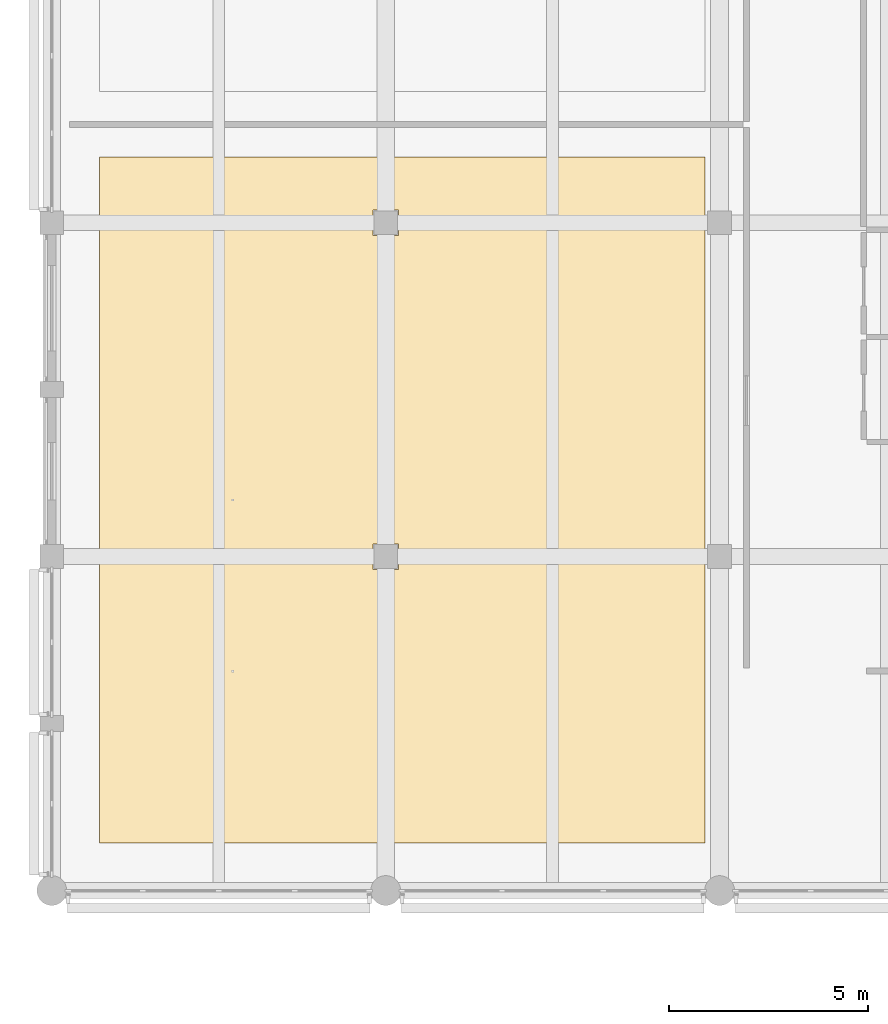
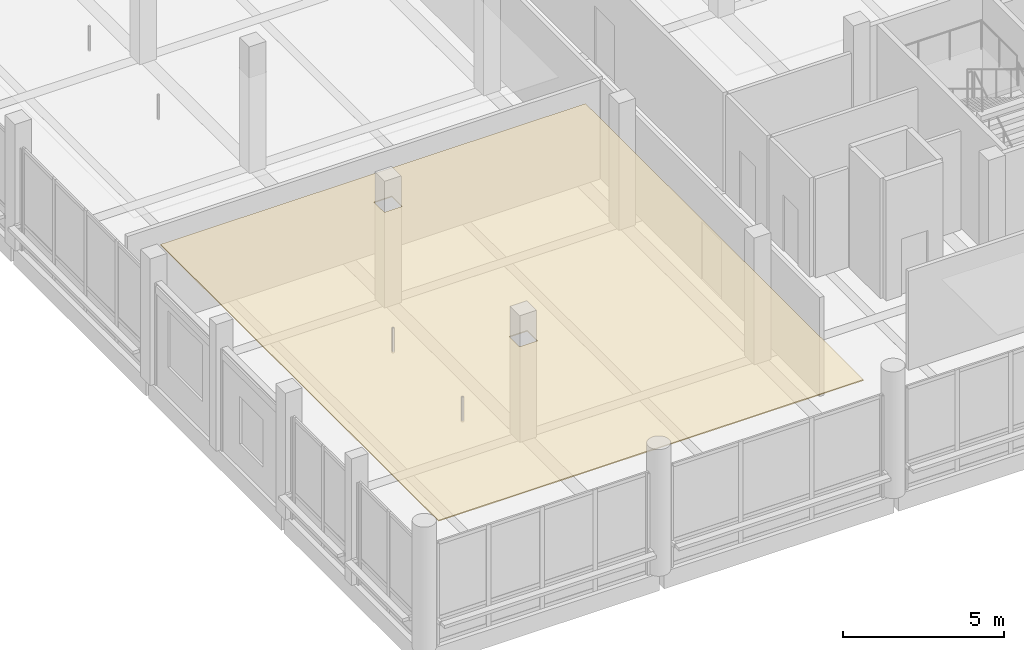
# One storey, part 86 of 122: 1 covering.
"""IFC4 building model written with IfcOpenShell, lengths in metres."""

from ifc_helpers import new_model, si_unit, direction, frame, origin, place, context, subcontext, project, spatial, polyline, outline, extrude, material, layer, layer_set, type_object, element, save


model = new_model("IFC4")

# Units and contexts
model_context = context("Model", 3, precision=1e-05, world=origin(), true_north=direction((0.0, 1.0)))
body_context = subcontext(model_context, "Body", "Model", "MODEL_VIEW")
ifc_project = project(units=[si_unit("LENGTHUNIT", "METRE"), si_unit("AREAUNIT", "SQUARE_METRE"), si_unit("VOLUMEUNIT", "CUBIC_METRE"), si_unit("PLANEANGLEUNIT", "RADIAN"), si_unit("MASSUNIT", "GRAM", prefix="KILO")], contexts=[model_context])

# Site, building, storey
site_placement = place(None, origin())
site = spatial("IfcSite", under=ifc_project, at=site_placement, CompositionType="ELEMENT")
building_placement = place(site_placement, origin())
building = spatial("IfcBuilding", under=site, at=building_placement, Name="Telukmera Botanical Conservatory", CompositionType="ELEMENT")
storey_placement = place(building_placement, frame((0.0, 0.0, 10.199951171875)))
storey = spatial("IfcBuildingStorey", under=building, at=storey_placement, Name="L02", CompositionType="ELEMENT", Elevation=10.199951171875)

# Covering
ifc_material = material(Name="Perforated gypsum acoustic ceiling")
ifc_layer = layer(ifc_material, 0.0400390625)
ifc_layer_set = layer_set([ifc_layer], Name="Perforated gypsum acoustic ceiling")
covering_type = type_object("IfcCoveringType", Name="COV-CEIL-40", PredefinedType="CEILING", material=ifc_layer_set)
covering_placement = place(storey_placement, frame((0.0, 0.0, 3.610107421875)))
element("IfcCovering", 1, at=covering_placement, inside=storey, type_object=covering_type, Name="L02 Education Classroom Suspended Acoustic Ceiling", PredefinedType="CEILING", context=body_context, shape_type="SweptSolid", body=[
    extrude(outline(polyline([(9.60009765625, 18.800048828125), (24.830078125, 18.800048828125), (24.830078125, 36.050048828125), (9.60009765625, 36.050048828125), (9.60009765625, 18.800048828125)]), holes=[polyline([(16.47998046875, 25.679931640625), (17.1201171875, 25.679931640625), (17.1201171875, 26.320068359375), (16.47998046875, 26.320068359375), (16.47998046875, 25.679931640625)]), polyline([(16.47998046875, 34.080078125), (17.1201171875, 34.080078125), (17.1201171875, 34.719970703125), (16.47998046875, 34.719970703125), (16.47998046875, 34.080078125)])]), origin(), (0.0, 0.0, 1.0), 0.0400390625),
])

save(model, "model.ifc")
